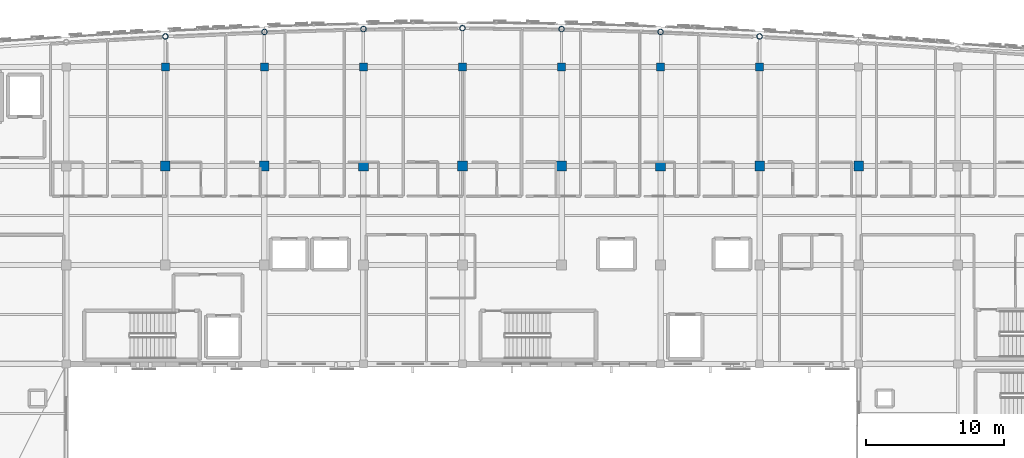
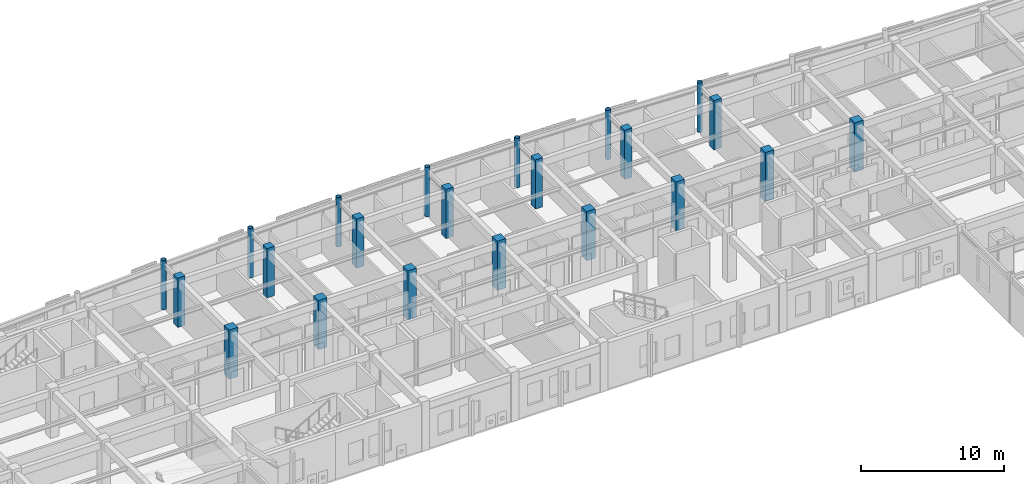
# One storey, part 11 of 113: 22 columns.
"""IFC4 building model written with IfcOpenShell, lengths in metres."""

from ifc_helpers import new_model, si_unit, direction, frame, origin, origin_2d, place, context, subcontext, project, spatial, rectangle, hollow_circle, extrude, material, material_profile, profile_set, type_object, element, save


model = new_model("IFC4")

# Units and contexts
model_context = context("Model", 3, precision=1e-05, world=origin(), true_north=direction((0.0, 1.0)))
body_context = subcontext(model_context, "Body", "Model", "MODEL_VIEW")
ifc_project = project(units=[si_unit("LENGTHUNIT", "METRE"), si_unit("AREAUNIT", "SQUARE_METRE"), si_unit("VOLUMEUNIT", "CUBIC_METRE"), si_unit("PLANEANGLEUNIT", "RADIAN"), si_unit("MASSUNIT", "GRAM", prefix="KILO")], contexts=[model_context])

# Site, building, storey
site_placement = place(None, origin())
site = spatial("IfcSite", under=ifc_project, at=site_placement, CompositionType="ELEMENT")
building_placement = place(site_placement, origin())
building = spatial("IfcBuilding", under=site, at=building_placement, Name="Carrowvane Square Congress Hotel", CompositionType="ELEMENT")
storey_placement = place(building_placement, frame((0.0, 0.0, 15.0)))
storey = spatial("IfcBuildingStorey", under=building, at=storey_placement, Name="L03", CompositionType="ELEMENT", Elevation=15.0)

# Columns
ifc_material_1 = material(Name="Concrete C40/50", Category="concrete")
ifc_material_profile_1 = material_profile(ifc_material_1, rectangle(XDim=0.60009765625, YDim=0.60009765625, at=origin_2d()), Name="RC 600x600")
ifc_profile_set_1 = profile_set([ifc_material_profile_1], Name="Concrete C40/50")
column_type_1 = type_object("IfcColumnType", Name="COL-RC-600", PredefinedType="COLUMN", material=ifc_profile_set_1)
for number, where, z_axis, x_axis, name in (
    (1, (76.39990234375, 113.39990234375, 0.0), (0.0, 0.0, 1.0), (1.0, 0.0, 0.0), "L03 column 10/R"),
    (2, (83.60009765625, 113.39990234375, 0.0), (0.0, 0.0, 1.0), (1.0, 0.0, 0.0), "L03 column 11/R"),
    (3, (90.800048828125, 113.39990234375, 0.0), (0.0, 0.0, 1.0), (1.0, 0.0, 0.0), "L03 column 12/R"),
    (4, (98.0, 113.39990234375, 0.0), (0.0, 0.0, 1.0), (1.0, 0.0, 0.0), "L03 column 13/R"),
    (5, (105.199951171875, 113.39990234375, 0.0), (0.0, 0.0, 1.0), (1.0, 0.0, 0.0), "L03 column 14/R"),
    (6, (112.39990234375, 113.39990234375, 0.0), (0.0, 0.0, 1.0), (1.0, 0.0, 0.0), "L03 column 15/R"),
    (7, (119.60009765625, 113.39990234375, 0.0), (0.0, 0.0, 1.0), (1.0, 0.0, 0.0), "L03 column 16/R"),
):
    element("IfcColumn", number, at=place(storey_placement, frame(where, z_axis=z_axis, x_axis=x_axis)), inside=storey, type_object=column_type_1, Name=name, PredefinedType="COLUMN", context=body_context, shape_type="SweptSolid", body=[
        extrude(rectangle(XDim=0.60009765625, YDim=0.60009765625, at=origin_2d()), origin(), (0.0, 0.0, 1.0), 4.199951171875),
    ])
ifc_material_2 = material(Name="Concrete C40/50", Category="concrete")
ifc_material_profile_2 = material_profile(ifc_material_2, rectangle(XDim=0.699951171875, YDim=0.699951171875, at=origin_2d()), Name="RC 700x700")
ifc_profile_set_2 = profile_set([ifc_material_profile_2], Name="Concrete C40/50")
column_type_2 = type_object("IfcColumnType", Name="COL-RC-700", PredefinedType="COLUMN", material=ifc_profile_set_2)
for number, where, z_axis, x_axis, name in (
    (8, (76.39990234375, 106.199951171875, 0.0), (0.0, 0.0, 1.0), (1.0, 0.0, 0.0), "L03 column 10/Q"),
    (9, (83.60009765625, 106.199951171875, 0.0), (0.0, 0.0, 1.0), (1.0, 0.0, 0.0), "L03 column 11/Q"),
    (10, (90.800048828125, 106.199951171875, 0.0), (0.0, 0.0, 1.0), (1.0, 0.0, 0.0), "L03 column 12/Q"),
    (11, (98.0, 106.199951171875, 0.0), (0.0, 0.0, 1.0), (1.0, 0.0, 0.0), "L03 column 13/Q"),
    (12, (105.199951171875, 106.199951171875, 0.0), (0.0, 0.0, 1.0), (1.0, 0.0, 0.0), "L03 column 14/Q"),
    (13, (112.39990234375, 106.199951171875, 0.0), (0.0, 0.0, 1.0), (1.0, 0.0, 0.0), "L03 column 15/Q"),
    (14, (119.60009765625, 106.199951171875, 0.0), (0.0, 0.0, 1.0), (1.0, 0.0, 0.0), "L03 column 16/Q"),
    (15, (126.800048828125, 106.199951171875, 0.0), (0.0, 0.0, 1.0), (1.0, 0.0, 0.0), "L03 column 17/Q"),
):
    element("IfcColumn", number, at=place(storey_placement, frame(where, z_axis=z_axis, x_axis=x_axis)), inside=storey, type_object=column_type_2, Name=name, PredefinedType="COLUMN", context=body_context, shape_type="SweptSolid", body=[
        extrude(rectangle(XDim=0.699951171875, YDim=0.699951171875, at=origin_2d()), origin(), (0.0, 0.0, 1.0), 4.199951171875),
    ])
ifc_material_3 = material(Name="Steel S355", Category="steel")
ifc_material_profile_3 = material_profile(ifc_material_3, hollow_circle(Radius=0.203125, WallThickness=0.02001953125, at=origin_2d()), Name="CHS 406.4x20")
ifc_profile_set_3 = profile_set([ifc_material_profile_3], Name="Steel S355")
column_type_3 = type_object("IfcColumnType", Name="COL-ST-CHS406", PredefinedType="COLUMN", material=ifc_profile_set_3)
for number, where, z_axis, x_axis, name in (
    (16, (76.39990234375, 115.61767578125, 0.0), (0.0, 0.0, 1.0), (1.0, 0.0, 0.0), "L03 column 10/ARC"),
    (17, (83.60009765625, 115.944091796875, 0.0), (0.0, 0.0, 1.0), (1.0, 0.0, 0.0), "L03 column 11/ARC"),
    (18, (90.800048828125, 116.14990234375, 0.0), (0.0, 0.0, 1.0), (1.0, 0.0, 0.0), "L03 column 12/ARC"),
    (19, (98.0, 116.219970703125, 0.0), (0.0, 0.0, 1.0), (1.0, 0.0, 0.0), "L03 column 13/ARC"),
    (20, (105.199951171875, 116.14990234375, 0.0), (0.0, 0.0, 1.0), (1.0, 0.0, 0.0), "L03 column 14/ARC"),
    (21, (112.39990234375, 115.944091796875, 0.0), (0.0, 0.0, 1.0), (1.0, 0.0, 0.0), "L03 column 15/ARC"),
    (22, (119.60009765625, 115.61767578125, 0.0), (0.0, 0.0, 1.0), (1.0, 0.0, 0.0), "L03 column 16/ARC"),
):
    element("IfcColumn", number, at=place(storey_placement, frame(where, z_axis=z_axis, x_axis=x_axis)), inside=storey, type_object=column_type_3, Name=name, PredefinedType="COLUMN", context=body_context, shape_type="SweptSolid", body=[
        extrude(hollow_circle(Radius=0.203125, WallThickness=0.02001953125, at=origin_2d()), origin(), (0.0, 0.0, 1.0), 4.199951171875),
    ])

save(model, "model.ifc")
